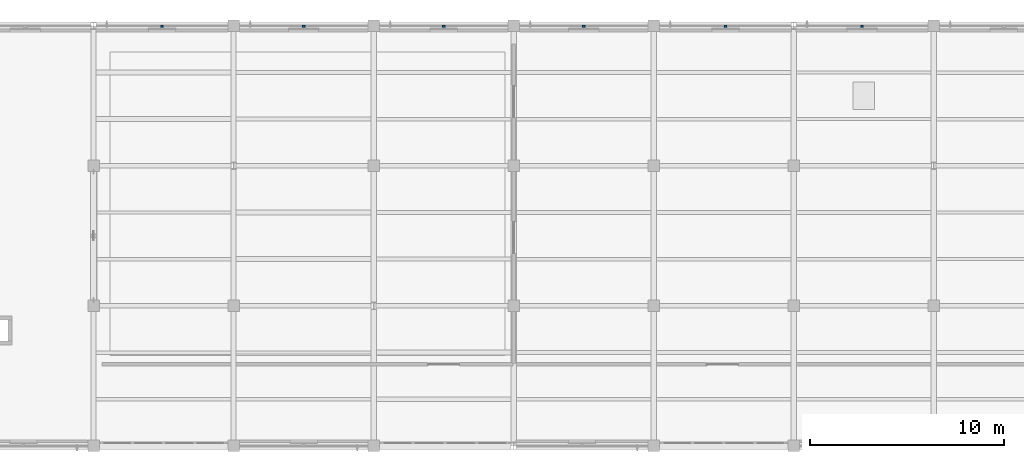
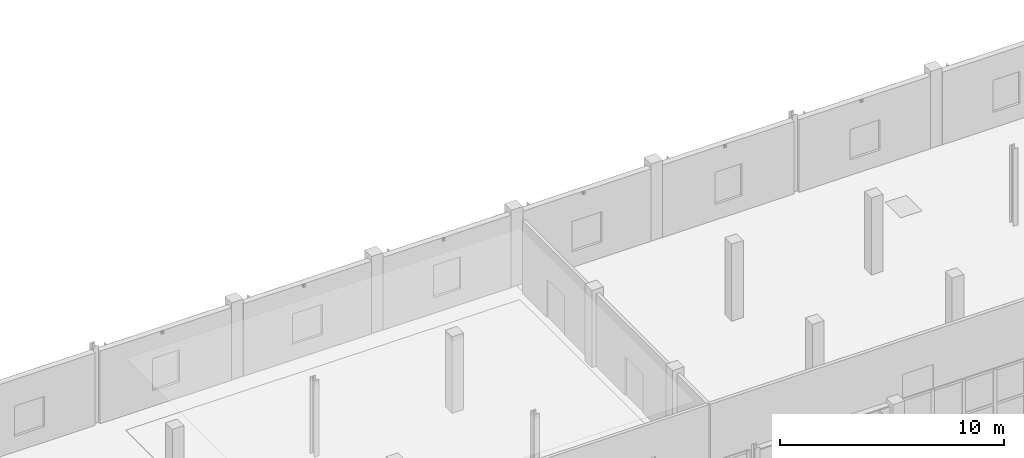
# One storey, part 79 of 94: 6 discrete accessories.
"""IFC4 building model written with IfcOpenShell, lengths in metres."""

from ifc_helpers import new_model, si_unit, direction, frame, origin, origin_2d, place, context, subcontext, project, spatial, rectangle, extrude, material, type_object, element, save


model = new_model("IFC4")

# Units and contexts
model_context = context("Model", 3, precision=1e-05, world=origin(), true_north=direction((0.0, 1.0)))
body_context = subcontext(model_context, "Body", "Model", "MODEL_VIEW")
ifc_project = project(units=[si_unit("LENGTHUNIT", "METRE"), si_unit("AREAUNIT", "SQUARE_METRE"), si_unit("VOLUMEUNIT", "CUBIC_METRE"), si_unit("PLANEANGLEUNIT", "RADIAN"), si_unit("MASSUNIT", "GRAM", prefix="KILO")], contexts=[model_context])

# Site, building, storey
site_placement = place(None, origin())
site = spatial("IfcSite", under=ifc_project, at=site_placement, CompositionType="ELEMENT")
building_placement = place(site_placement, origin())
building = spatial("IfcBuilding", under=site, at=building_placement, Name="Kalmorath City Hall", CompositionType="ELEMENT")
storey_placement = place(building_placement, frame((0.0, 0.0, 14.699951171875)))
storey = spatial("IfcBuildingStorey", under=building, at=storey_placement, Name="L03", CompositionType="ELEMENT", Elevation=14.699951171875)

# Discrete accessories
ifc_material = material(Name="Stainless steel Grade 316", Category="steel")
discrete_accessory_type = type_object("IfcDiscreteAccessoryType", Name="Stainless rainscreen support bracket", PredefinedType="BRACKET", material=ifc_material)
for number, where, z_axis, x_axis, name in (
    (1, (68.3134765625, 115.18994140625, 3.5302734375), (0.0, 0.0, 1.0), (1.0, 0.0, 0.0), "L03 basalt anchor bracket #63"),
    (2, (75.60009765625, 115.18994140625, 3.5302734375), (0.0, 0.0, 1.0), (1.0, 0.0, 0.0), "L03 basalt anchor bracket #64"),
    (3, (82.800048828125, 115.18994140625, 3.5302734375), (0.0, 0.0, 1.0), (1.0, 0.0, 0.0), "L03 basalt anchor bracket #65"),
    (4, (90.0, 115.18994140625, 3.5302734375), (0.0, 0.0, 1.0), (1.0, 0.0, 0.0), "L03 basalt anchor bracket #66"),
    (5, (97.28662109375, 115.18994140625, 3.5302734375), (0.0, 0.0, 1.0), (1.0, 0.0, 0.0), "L03 basalt anchor bracket #67"),
    (6, (104.3134765625, 115.18994140625, 3.5302734375), (0.0, 0.0, 1.0), (1.0, 0.0, 0.0), "L03 basalt anchor bracket #68"),
):
    element("IfcDiscreteAccessory", number, at=place(storey_placement, frame(where, z_axis=z_axis, x_axis=x_axis)), inside=storey, type_object=discrete_accessory_type, Name=name, PredefinedType="BRACKET", context=body_context, shape_type="SweptSolid", body=[
        extrude(rectangle(XDim=0.139892578125, YDim=0.10009765625, at=origin_2d()), origin(), (0.0, 0.0, 1.0), 0.139892578125),
    ])

save(model, "model.ifc")
